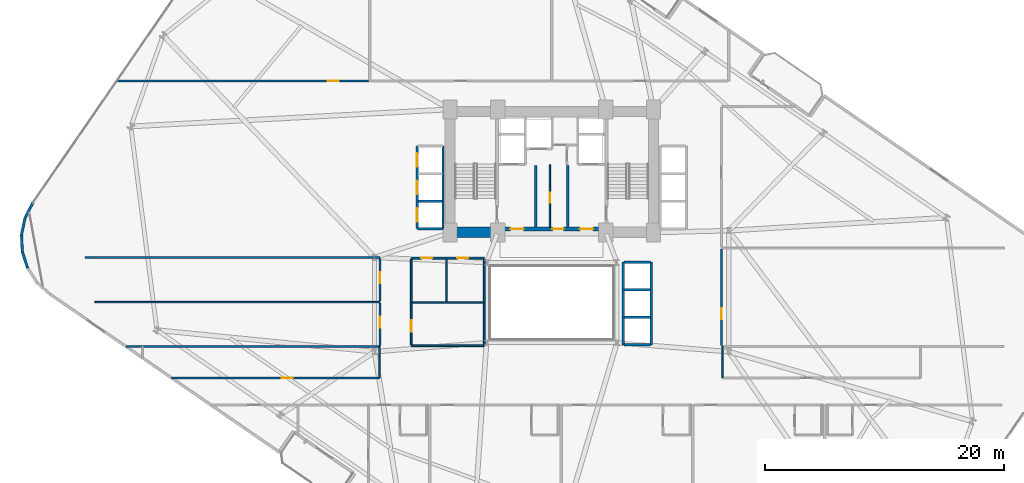
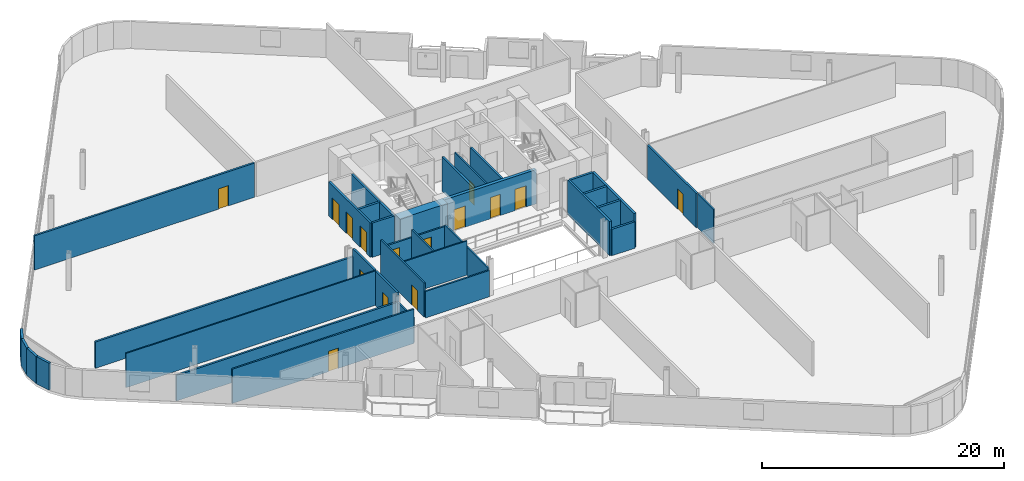
# One storey, part 20 of 26: 35 walls, 15 doors, 15 openings.
"""IFC4 building model written with IfcOpenShell, lengths in metres."""

from ifc_helpers import new_model, si_unit, direction, frame, frame_2d, origin, place, context, subcontext, project, spatial, rectangle, extrude, material, layer, layer_set, type_object, element, fill, save


model = new_model("IFC4")

# Units and contexts
model_context = context("Model", 3, precision=1e-05, world=origin(), true_north=direction((0.0, 1.0)))
body_context = subcontext(model_context, "Body", "Model", "MODEL_VIEW")
ifc_project = project(units=[si_unit("LENGTHUNIT", "METRE"), si_unit("AREAUNIT", "SQUARE_METRE"), si_unit("VOLUMEUNIT", "CUBIC_METRE"), si_unit("PLANEANGLEUNIT", "RADIAN"), si_unit("MASSUNIT", "GRAM", prefix="KILO")], contexts=[model_context])

# Site, building, storey
site_placement = place(None, origin())
site = spatial("IfcSite", under=ifc_project, at=site_placement, CompositionType="ELEMENT")
building_placement = place(site_placement, origin())
building = spatial("IfcBuilding", under=site, at=building_placement, Name="Varnelok Gate Tower", CompositionType="ELEMENT")
storey_placement = place(building_placement, frame((0.0, 0.0, 45.5)))
storey = spatial("IfcBuildingStorey", under=building, at=storey_placement, Name="L10", CompositionType="ELEMENT", Elevation=45.5)

# Walls
ifc_material_1 = material(Name="Concrete C45/55", Category="concrete")
ifc_layer_1 = layer(ifc_material_1, 0.219970703125)
ifc_layer_set_1 = layer_set([ifc_layer_1], Name="Concrete C45/55")
wall_type_1 = type_object("IfcWallType", Name="EW-BALC-220", PredefinedType="SOLIDWALL", material=ifc_layer_set_1)
wall_1_placement = place(storey_placement, frame((-4.158203125, 31.24462890625, 0.0), z_axis=(0.0, 0.0, 1.0), x_axis=(-0.454777156549, -0.890605264908, 0.0)))
element("IfcWall", 1, at=wall_1_placement, inside=storey, type_object=wall_type_1, Name="L10 Perimeter Facade Closure Wall 1", PredefinedType="SOLIDWALL", context=body_context, shape_type="SweptSolid", body=[
    extrude(rectangle(XDim=1.43017578125, YDim=0.219970703125, at=frame_2d((0.715087890625, 0.0))), origin(), (0.0, 0.0, 1.0), 2.72998046875),
])
for number, where, z_axis, x_axis, name in (
    (2, (-4.81396484375, 29.946533203125, 0.0), (0.0, 0.0, 1.0), (-0.208829011645, -0.977952168511, 0.0), "L10 Perimeter Facade Closure Wall 2"),
    (3, (-5.106201171875, 28.547119140625, 0.0), (0.0, 0.0, 1.0), (0.051254741739, -0.998685611917, 0.0), "L10 Perimeter Facade Closure Wall 3"),
    (4, (-5.026611328125, 27.1201171875, 0.0), (0.0, 0.0, 1.0), (0.308190297603, -0.95132472924, 0.0), "L10 Perimeter Facade Closure Wall 4"),
):
    element("IfcWall", number, at=place(storey_placement, frame(where, z_axis=z_axis, x_axis=x_axis)), inside=storey, type_object=wall_type_1, Name=name, PredefinedType="SOLIDWALL", context=body_context, shape_type="SweptSolid", body=[
        extrude(rectangle(XDim=1.4052734375, YDim=0.219970703125, at=frame_2d((0.70263671875, 0.0))), origin(), (0.0, 0.0, 1.0), 2.72998046875),
    ])

# Wall, opening, door
ifc_material_2 = material(Name="Gypsum Plasterboard Acoustic Partition", Category="gypsum")
ifc_layer_2 = layer(ifc_material_2, 0.179931640625)
ifc_layer_set_2 = layer_set([ifc_layer_2], Name="Gypsum Plasterboard Acoustic Partition")
wall_type_2 = type_object("IfcWallType", Name="PW-CORR-180", PredefinedType="PARTITIONING", material=ifc_layer_set_2)
wall_2_placement = place(storey_placement, frame((2.9208984375, 41.429931640625, 0.0), z_axis=(0.0, 0.0, 1.0), x_axis=(1.0, 0.0, 0.0)))
wall_2 = element("IfcWall", 5, at=wall_2_placement, inside=storey, type_object=wall_type_2, Name="Interior Partition", PredefinedType="PARTITIONING", context=body_context, shape_type="SweptSolid", body=[
    extrude(rectangle(XDim=20.9990234375, YDim=0.179931640625, at=frame_2d((10.49951171875, 0.0))), origin(), (0.0, 0.0, 1.0), 3.449951171875),
])
opening_1_placement = place(wall_2_placement, frame((17.55419921875, 0.0, 0.0)))
opening_1 = element("IfcOpeningElement", 6, at=opening_1_placement, cuts=wall_2, Name="Opening D-I2", PredefinedType="OPENING", context=body_context, shape_type="SweptSolid", body=[
    extrude(rectangle(XDim=0.949951171875, YDim=2.050048828125, at=frame_2d((0.47509765625, 1.02490234375))), frame((0.0, 0.099853515625, 0.0), z_axis=(0.0, -1.0, 0.0), x_axis=(1.0, 0.0, 0.0)), (0.0, 0.0, 1.0), 0.199951171875),
])
ifc_material_3 = material(Name="Engineered Hardwood Timber", Category="wood")
door_type_1 = type_object("IfcDoorType", Name="DR-INT-950", OperationType="NOTDEFINED", PredefinedType="DOOR", material=ifc_material_3)
door_1_placement = place(opening_1_placement, origin())
door_1 = element("IfcDoor", 7, at=door_1_placement, inside=storey, type_object=door_type_1, Name="L10 Executive Business Office 1 Door", OperationType="SINGLE_SWING_LEFT", OverallHeight=2.050048828125, OverallWidth=0.949951171875, PredefinedType="DOOR", context=body_context, shape_type="SweptSolid", body=[
    extrude(rectangle(XDim=0.949951171875, YDim=2.050048828125, at=frame_2d((0.47509765625, 1.02490234375))), frame((0.0, 0.02490234375, 0.0), z_axis=(0.0, -1.0, 0.0), x_axis=(1.0, 0.0, 0.0)), (0.0, 0.0, 1.0), 0.050048828125),
])
fill(opening_1, door_1)

wall_3_placement = place(storey_placement, frame((24.85009765625, 19.300048828125, 0.0), z_axis=(0.0, 0.0, 1.0), x_axis=(0.0, 1.0, 0.0)))
wall_3 = element("IfcWall", 8, at=wall_3_placement, inside=storey, type_object=wall_type_2, Name="Interior Partition", PredefinedType="PARTITIONING", context=body_context, shape_type="SweptSolid", body=[
    extrude(rectangle(XDim=3.570068359375, YDim=0.179931640625, at=frame_2d((1.78515625, 0.0))), origin(), (0.0, 0.0, 1.0), 3.449951171875),
])
opening_2_placement = place(wall_3_placement, frame((1.49951171875, 0.0, 0.0)))
opening_2 = element("IfcOpeningElement", 9, at=opening_2_placement, cuts=wall_3, Name="Opening D-I3", PredefinedType="OPENING", context=body_context, shape_type="SweptSolid", body=[
    extrude(rectangle(XDim=0.919921875, YDim=2.050048828125, at=frame_2d((0.4599609375, 1.02490234375))), frame((0.0, 0.099853515625, 0.0), z_axis=(0.0, -1.0, 0.0), x_axis=(1.0, 0.0, 0.0)), (0.0, 0.0, 1.0), 0.199951171875),
])
door_type_2 = type_object("IfcDoorType", Name="DR-INT-920", OperationType="NOTDEFINED", PredefinedType="DOOR", material=ifc_material_3)
door_2_placement = place(opening_2_placement, origin())
door_2 = element("IfcDoor", 10, at=door_2_placement, inside=storey, type_object=door_type_2, Name="L10 West Wing Room 1 Door", OperationType="SINGLE_SWING_LEFT", OverallHeight=2.050048828125, OverallWidth=0.919921875, PredefinedType="DOOR", context=body_context, shape_type="SweptSolid", body=[
    extrude(rectangle(XDim=0.919921875, YDim=2.050048828125, at=frame_2d((0.4599609375, 1.02490234375))), frame((0.0, 0.02490234375, 0.0), z_axis=(0.0, -1.0, 0.0), x_axis=(1.0, 0.0, 0.0)), (0.0, 0.0, 1.0), 0.050048828125),
])
fill(opening_2, door_2)

wall_4_placement = place(storey_placement, frame((24.85009765625, 23.030029296875, 0.0), z_axis=(0.0, 0.0, 1.0), x_axis=(0.0, 1.0, 0.0)))
wall_4 = element("IfcWall", 11, at=wall_4_placement, inside=storey, type_object=wall_type_2, Name="Interior Partition", PredefinedType="PARTITIONING", context=body_context, shape_type="SweptSolid", body=[
    extrude(rectangle(XDim=3.570068359375, YDim=0.179931640625, at=frame_2d((1.78515625, 0.0))), origin(), (0.0, 0.0, 1.0), 3.449951171875),
])
opening_3_placement = place(wall_4_placement, frame((1.49951171875, 0.0, 0.0)))
opening_3 = element("IfcOpeningElement", 12, at=opening_3_placement, cuts=wall_4, Name="Opening D-I3", PredefinedType="OPENING", context=body_context, shape_type="SweptSolid", body=[
    extrude(rectangle(XDim=0.919921875, YDim=2.050048828125, at=frame_2d((0.4599609375, 1.02490234375))), frame((0.0, 0.099853515625, 0.0), z_axis=(0.0, -1.0, 0.0), x_axis=(1.0, 0.0, 0.0)), (0.0, 0.0, 1.0), 0.199951171875),
])
door_3_placement = place(opening_3_placement, origin())
door_3 = element("IfcDoor", 13, at=door_3_placement, inside=storey, type_object=door_type_2, Name="L10 West Wing Room 2 Door", OperationType="SINGLE_SWING_RIGHT", OverallHeight=2.050048828125, OverallWidth=0.919921875, PredefinedType="DOOR", context=body_context, shape_type="SweptSolid", body=[
    extrude(rectangle(XDim=0.919921875, YDim=2.050048828125, at=frame_2d((0.4599609375, 1.02490234375))), frame((0.0, 0.02490234375, 0.0), z_axis=(0.0, -1.0, 0.0), x_axis=(1.0, 0.0, 0.0)), (0.0, 0.0, 1.0), 0.050048828125),
])
fill(opening_3, door_3)

# Walls
wall_5_placement = place(storey_placement, frame((3.644775390625, 19.239990234375, 0.0), z_axis=(0.0, 0.0, 1.0), x_axis=(1.0, 0.0, 0.0)))
element("IfcWall", 14, at=wall_5_placement, inside=storey, type_object=wall_type_2, Name="Interior Partition", PredefinedType="PARTITIONING", context=body_context, shape_type="SweptSolid", body=[
    extrude(rectangle(XDim=21.205322265625, YDim=0.179931640625, at=frame_2d((10.6025390625, 0.0))), origin(), (0.0, 0.0, 1.0), 2.580078125),
])
wall_6_placement = place(storey_placement, frame((0.199951171875, 26.659912109375, 0.0), z_axis=(0.0, 0.0, 1.0), x_axis=(1.0, 0.0, 0.0)))
element("IfcWall", 15, at=wall_6_placement, inside=storey, type_object=wall_type_2, Name="Interior Partition", PredefinedType="PARTITIONING", context=body_context, shape_type="SweptSolid", body=[
    extrude(rectangle(XDim=24.650146484375, YDim=0.179931640625, at=frame_2d((12.3251953125, 0.0))), origin(), (0.0, 0.0, 1.0), 2.662109375),
])

# Wall, opening, door
wall_7_placement = place(storey_placement, frame((53.389892578125, 19.300048828125, 0.0), z_axis=(0.0, 0.0, 1.0), x_axis=(0.0, 1.0, 0.0)))
wall_7 = element("IfcWall", 16, at=wall_7_placement, inside=storey, type_object=wall_type_2, Name="Interior Partition", PredefinedType="PARTITIONING", context=body_context, shape_type="SweptSolid", body=[
    extrude(rectangle(XDim=8.070068359375, YDim=0.179931640625, at=frame_2d((4.03515625, 0.0))), origin(), (0.0, 0.0, 1.0), 3.449951171875),
])
opening_4_placement = place(wall_7_placement, frame((2.199951171875, 0.0, 0.0)))
opening_4 = element("IfcOpeningElement", 17, at=opening_4_placement, cuts=wall_7, Name="Opening D-I3", PredefinedType="OPENING", context=body_context, shape_type="SweptSolid", body=[
    extrude(rectangle(XDim=0.919921875, YDim=2.050048828125, at=frame_2d((0.4599609375, 1.02490234375))), frame((0.0, 0.099853515625, 0.0), z_axis=(0.0, -1.0, 0.0), x_axis=(1.0, 0.0, 0.0)), (0.0, 0.0, 1.0), 0.199951171875),
])
door_4_placement = place(opening_4_placement, origin())
door_4 = element("IfcDoor", 18, at=door_4_placement, inside=storey, type_object=door_type_2, Name="L10 East Suite 1 Door", OperationType="SINGLE_SWING_LEFT", OverallHeight=2.050048828125, OverallWidth=0.919921875, PredefinedType="DOOR", context=body_context, shape_type="SweptSolid", body=[
    extrude(rectangle(XDim=0.919921875, YDim=2.050048828125, at=frame_2d((0.4599609375, 1.02490234375))), frame((0.0, 0.02490234375, 0.0), z_axis=(0.0, -1.0, 0.0), x_axis=(1.0, 0.0, 0.0)), (0.0, 0.0, 1.0), 0.050048828125),
])
fill(opening_4, door_4)

# Walls
ifc_layer_3 = layer(ifc_material_2, 0.125)
ifc_layer_set_3 = layer_set([ifc_layer_3], Name="Gypsum Plasterboard Acoustic Partition")
wall_type_3 = type_object("IfcWallType", Name="PW-PART-125", PredefinedType="PARTITIONING", material=ifc_layer_set_3)
wall_8_placement = place(storey_placement, frame((24.800048828125, 16.610107421875, 0.0), z_axis=(0.0, 0.0, 1.0), x_axis=(0.0, 1.0, 0.0)))
element("IfcWall", 19, at=wall_8_placement, inside=storey, type_object=wall_type_3, Name="Interior Partition", PredefinedType="PARTITIONING", context=body_context, shape_type="SweptSolid", body=[
    extrude(rectangle(XDim=2.6298828125, YDim=0.125, at=frame_2d((1.31494140625, 0.0))), origin(), (0.0, 0.0, 1.0), 2.580078125),
])
wall_9_placement = place(storey_placement, frame((53.449951171875, 16.610107421875, 0.0), z_axis=(0.0, 0.0, 1.0), x_axis=(0.0, 1.0, 0.0)))
element("IfcWall", 20, at=wall_9_placement, inside=storey, type_object=wall_type_3, Name="Interior Partition", PredefinedType="PARTITIONING", context=body_context, shape_type="SweptSolid", body=[
    extrude(rectangle(XDim=2.6298828125, YDim=0.125, at=frame_2d((1.31494140625, 0.0))), origin(), (0.0, 0.0, 1.0), 3.449951171875),
])
wall_10_placement = place(storey_placement, frame((1.0, 22.949951171875, 0.0), z_axis=(0.0, 0.0, 1.0), x_axis=(1.0, 0.0, 0.0)))
element("IfcWall", 21, at=wall_10_placement, inside=storey, type_object=wall_type_3, Name="Interior Partition", PredefinedType="PARTITIONING", context=body_context, shape_type="SweptSolid", body=[
    extrude(rectangle(XDim=23.85009765625, YDim=0.125, at=frame_2d((11.925048828125, 0.0))), origin(), (0.0, 0.0, 1.0), 3.449951171875),
])

# Wall, opening, door
wall_11_placement = place(storey_placement, frame((39.050048828125, 29.199951171875, 0.0), z_axis=(0.0, 0.0, 1.0), x_axis=(0.0, 1.0, 0.0)))
wall_11 = element("IfcWall", 22, at=wall_11_placement, inside=storey, type_object=wall_type_3, Name="Interior Partition", PredefinedType="PARTITIONING", context=body_context, shape_type="SweptSolid", body=[
    extrude(rectangle(XDim=5.219970703125, YDim=0.125, at=frame_2d((2.60986328125, 0.0))), origin(), (0.0, 0.0, 1.0), 3.449951171875),
])
opening_5_placement = place(wall_11_placement, frame((2.050048828125, 0.0, 0.0)))
opening_5 = element("IfcOpeningElement", 23, at=opening_5_placement, cuts=wall_11, Name="Opening D-RS", PredefinedType="OPENING", context=body_context, shape_type="SweptSolid", body=[
    extrude(rectangle(XDim=0.85009765625, YDim=2.050048828125, at=frame_2d((0.425048828125, 1.02490234375))), frame((0.0, 0.072509765625, 0.0), z_axis=(0.0, -1.0, 0.0), x_axis=(1.0, 0.0, 0.0)), (0.0, 0.0, 1.0), 0.14501953125),
])
ifc_material_4 = material(Name="Galvanized Steel Grade S350GD", Category="steel")
door_type_3 = type_object("IfcDoorType", Name="DR-RISER-850", OperationType="NOTDEFINED", PredefinedType="DOOR", material=ifc_material_4)
door_5_placement = place(opening_5_placement, origin())
door_5 = element("IfcDoor", 24, at=door_5_placement, inside=storey, type_object=door_type_3, Name="L10 Housekeeping Linen Door", OperationType="SINGLE_SWING_LEFT", OverallHeight=2.050048828125, OverallWidth=0.85009765625, PredefinedType="DOOR", context=body_context, shape_type="SweptSolid", body=[
    extrude(rectangle(XDim=0.85009765625, YDim=2.050048828125, at=frame_2d((0.425048828125, 1.02490234375))), frame((0.0, 0.02490234375, 0.0), z_axis=(0.0, -1.0, 0.0), x_axis=(1.0, 0.0, 0.0)), (0.0, 0.0, 1.0), 0.050048828125),
])
fill(opening_5, door_5)

# Walls
wall_12_placement = place(storey_placement, frame((27.52001953125, 22.929931640625, 0.0), z_axis=(0.0, 0.0, 1.0), x_axis=(1.0, 0.0, 0.0)))
element("IfcWall", 25, at=wall_12_placement, inside=storey, type_object=wall_type_3, Name="Interior Partition", PredefinedType="PARTITIONING", context=body_context, shape_type="SweptSolid", body=[
    extrude(rectangle(XDim=6.0, YDim=0.125, at=frame_2d((3.0, 0.0))), origin(), (0.0, 0.0, 1.0), 3.449951171875),
])
wall_13_placement = place(storey_placement, frame((30.39990234375, 23.0, 0.0), z_axis=(0.0, 0.0, 1.0), x_axis=(0.0, 1.0, 0.0)))
element("IfcWall", 26, at=wall_13_placement, inside=storey, type_object=wall_type_3, Name="Interior Partition", PredefinedType="PARTITIONING", context=body_context, shape_type="SweptSolid", body=[
    extrude(rectangle(XDim=3.5400390625, YDim=0.125, at=frame_2d((1.77001953125, 0.0))), origin(), (0.0, 0.0, 1.0), 3.449951171875),
])

# Wall, opening, door
ifc_layer_4 = layer(ifc_material_2, 0.14990234375)
ifc_layer_set_4 = layer_set([ifc_layer_4], Name="Gypsum Plasterboard Acoustic Partition")
wall_type_4 = type_object("IfcWallType", Name="PW-PART-150", PredefinedType="PARTITIONING", material=ifc_layer_set_4)
wall_14_placement = place(storey_placement, frame((7.462890625, 16.610107421875, 0.0), z_axis=(0.0, 0.0, 1.0), x_axis=(1.0, 0.0, 0.0)))
wall_14 = element("IfcWall", 27, at=wall_14_placement, inside=storey, type_object=wall_type_4, Name="Interior Partition", PredefinedType="PARTITIONING", context=body_context, shape_type="SweptSolid", body=[
    extrude(rectangle(XDim=17.337158203125, YDim=0.14990234375, at=frame_2d((8.66845703125, 0.0))), origin(), (0.0, 0.0, 1.0), 3.449951171875),
])
opening_6_placement = place(wall_14_placement, frame((9.197265625, 0.0, 0.0)))
opening_6 = element("IfcOpeningElement", 28, at=opening_6_placement, cuts=wall_14, Name="Opening D-I3", PredefinedType="OPENING", context=body_context, shape_type="SweptSolid", body=[
    extrude(rectangle(XDim=0.919921875, YDim=2.050048828125, at=frame_2d((0.4599609375, 1.02490234375))), frame((0.0, 0.0849609375, 0.0), z_axis=(0.0, -1.0, 0.0), x_axis=(1.0, 0.0, 0.0)), (0.0, 0.0, 1.0), 0.169921875),
])
door_6_placement = place(opening_6_placement, origin())
door_6 = element("IfcDoor", 29, at=door_6_placement, inside=storey, type_object=door_type_2, Name="L10 Atrium Room 1 Door", OperationType="SINGLE_SWING_LEFT", OverallHeight=2.050048828125, OverallWidth=0.919921875, PredefinedType="DOOR", context=body_context, shape_type="SweptSolid", body=[
    extrude(rectangle(XDim=0.919921875, YDim=2.050048828125, at=frame_2d((0.4599609375, 1.02490234375))), frame((0.0, 0.02490234375, 0.0), z_axis=(0.0, -1.0, 0.0), x_axis=(1.0, 0.0, 0.0)), (0.0, 0.0, 1.0), 0.050048828125),
])
fill(opening_6, door_6)

# Wall
wall_15_placement = place(storey_placement, frame((27.4599609375, 19.300048828125, 0.0), z_axis=(0.0, 0.0, 1.0), x_axis=(1.0, 0.0, 0.0)))
element("IfcWall", 30, at=wall_15_placement, inside=storey, type_object=wall_type_4, Name="Interior Partition", PredefinedType="PARTITIONING", context=body_context, shape_type="SweptSolid", body=[
    extrude(rectangle(XDim=6.10009765625, YDim=0.14990234375, at=frame_2d((3.050048828125, 0.0))), origin(), (0.0, 0.0, 1.0), 2.662109375),
])

# Wall, openings, doors
wall_16_placement = place(storey_placement, frame((27.4599609375, 26.6201171875, 0.0), z_axis=(0.0, 0.0, 1.0), x_axis=(1.0, 0.0, 0.0)))
wall_16 = element("IfcWall", 31, at=wall_16_placement, inside=storey, type_object=wall_type_4, Name="Interior Partition", PredefinedType="PARTITIONING", context=body_context, shape_type="SweptSolid", body=[
    extrude(rectangle(XDim=6.10009765625, YDim=0.14990234375, at=frame_2d((3.050048828125, 0.0))), origin(), (0.0, 0.0, 1.0), 2.662109375),
])
opening_7_placement = place(wall_16_placement, frame((0.85009765625, 0.0, 0.0)))
opening_7 = element("IfcOpeningElement", 32, at=opening_7_placement, cuts=wall_16, Name="Opening D-WC", PredefinedType="OPENING", context=body_context, shape_type="SweptSolid", body=[
    extrude(rectangle(XDim=0.89990234375, YDim=2.050048828125, at=frame_2d((0.449951171875, 1.02490234375))), frame((0.0, 0.0849609375, 0.0), z_axis=(0.0, -1.0, 0.0), x_axis=(1.0, 0.0, 0.0)), (0.0, 0.0, 1.0), 0.169921875),
])
opening_8_placement = place(wall_16_placement, frame((3.85009765625, 0.0, 0.0)))
opening_8 = element("IfcOpeningElement", 33, at=opening_8_placement, cuts=wall_16, Name="Opening D-I3", PredefinedType="OPENING", context=body_context, shape_type="SweptSolid", body=[
    extrude(rectangle(XDim=0.919921875, YDim=2.050048828125, at=frame_2d((0.4599609375, 1.02490234375))), frame((0.0, 0.0849609375, 0.0), z_axis=(0.0, -1.0, 0.0), x_axis=(1.0, 0.0, 0.0)), (0.0, 0.0, 1.0), 0.169921875),
])
door_type_4 = type_object("IfcDoorType", Name="DR-BATH-900", OperationType="NOTDEFINED", PredefinedType="DOOR", material=ifc_material_3)
door_7_placement = place(opening_7_placement, origin())
door_7 = element("IfcDoor", 34, at=door_7_placement, inside=storey, type_object=door_type_4, Name="L10 Accessible Floor WC Door", OperationType="SINGLE_SWING_RIGHT", OverallHeight=2.050048828125, OverallWidth=0.89990234375, PredefinedType="DOOR", context=body_context, shape_type="SweptSolid", body=[
    extrude(rectangle(XDim=0.89990234375, YDim=2.050048828125, at=frame_2d((0.449951171875, 1.02490234375))), frame((0.0, 0.02490234375, 0.0), z_axis=(0.0, -1.0, 0.0), x_axis=(1.0, 0.0, 0.0)), (0.0, 0.0, 1.0), 0.050048828125),
])
fill(opening_7, door_7)
door_8_placement = place(opening_8_placement, origin())
door_8 = element("IfcDoor", 35, at=door_8_placement, inside=storey, type_object=door_type_2, Name="L10 Cleaner Supply Door", OperationType="SINGLE_SWING_LEFT", OverallHeight=2.050048828125, OverallWidth=0.919921875, PredefinedType="DOOR", context=body_context, shape_type="SweptSolid", body=[
    extrude(rectangle(XDim=0.919921875, YDim=2.050048828125, at=frame_2d((0.4599609375, 1.02490234375))), frame((0.0, 0.02490234375, 0.0), z_axis=(0.0, -1.0, 0.0), x_axis=(1.0, 0.0, 0.0)), (0.0, 0.0, 1.0), 0.050048828125),
])
fill(opening_8, door_8)

# Wall, opening, door
wall_17_placement = place(storey_placement, frame((27.4599609375, 19.3798828125, 0.0), z_axis=(0.0, 0.0, 1.0), x_axis=(0.0, 1.0, 0.0)))
wall_17 = element("IfcWall", 36, at=wall_17_placement, inside=storey, type_object=wall_type_4, Name="Interior Partition", PredefinedType="PARTITIONING", context=body_context, shape_type="SweptSolid", body=[
    extrude(rectangle(XDim=7.16015625, YDim=0.14990234375, at=frame_2d((3.580078125, 0.0))), origin(), (0.0, 0.0, 1.0), 3.449951171875),
])
opening_9_placement = place(wall_17_placement, frame((1.10009765625, 0.0, 0.0)))
opening_9 = element("IfcOpeningElement", 37, at=opening_9_placement, cuts=wall_17, Name="Opening D-I2", PredefinedType="OPENING", context=body_context, shape_type="SweptSolid", body=[
    extrude(rectangle(XDim=0.949951171875, YDim=2.050048828125, at=frame_2d((0.47509765625, 1.02490234375))), frame((0.0, 0.0849609375, 0.0), z_axis=(0.0, -1.0, 0.0), x_axis=(1.0, 0.0, 0.0)), (0.0, 0.0, 1.0), 0.169921875),
])
door_9_placement = place(opening_9_placement, origin())
door_9 = element("IfcDoor", 38, at=door_9_placement, inside=storey, type_object=door_type_1, Name="L10 Wellness Spa Lounge Door", OperationType="SINGLE_SWING_LEFT", OverallHeight=2.050048828125, OverallWidth=0.949951171875, PredefinedType="DOOR", context=body_context, shape_type="SweptSolid", body=[
    extrude(rectangle(XDim=0.949951171875, YDim=2.050048828125, at=frame_2d((0.47509765625, 1.02490234375))), frame((0.0, 0.02490234375, 0.0), z_axis=(0.0, -1.0, 0.0), x_axis=(1.0, 0.0, 0.0)), (0.0, 0.0, 1.0), 0.050048828125),
])
fill(opening_9, door_9)

# Walls
wall_18_placement = place(storey_placement, frame((33.56005859375, 19.3798828125, 0.0), z_axis=(0.0, 0.0, 1.0), x_axis=(0.0, 1.0, 0.0)))
element("IfcWall", 39, at=wall_18_placement, inside=storey, type_object=wall_type_4, Name="Interior Partition", PredefinedType="PARTITIONING", context=body_context, shape_type="SweptSolid", body=[
    extrude(rectangle(XDim=7.16015625, YDim=0.14990234375, at=frame_2d((3.580078125, 0.0))), origin(), (0.0, 0.0, 1.0), 2.823974609375),
])
ifc_material_5 = material(Name="Concrete C35/45", Category="concrete")
ifc_layer_5 = layer(ifc_material_5, 0.199951171875)
ifc_layer_set_5 = layer_set([ifc_layer_5], Name="Concrete C35/45")
wall_type_5 = type_object("IfcWallType", Name="PW-SHAFT-200", PredefinedType="PARTITIONING", material=ifc_layer_set_5)
for number, where, z_axis, x_axis, name in (
    (40, (37.860107421875, 29.199951171875, 0.0), (0.0, 0.0, 1.0), (0.0, 1.0, 0.0), "L10 West FF Lobby Rated Wall"),
    (41, (40.5400390625, 29.199951171875, 0.0), (0.0, 0.0, 1.0), (0.0, 1.0, 0.0), "L10 East FF Lobby Rated Wall"),
):
    element("IfcWall", number, at=place(storey_placement, frame(where, z_axis=z_axis, x_axis=x_axis)), inside=storey, type_object=wall_type_5, Name=name, PredefinedType="PARTITIONING", context=body_context, shape_type="SweptSolid", body=[
        extrude(rectangle(XDim=5.179931640625, YDim=0.199951171875, at=frame_2d((2.58984375, 0.0))), origin(), (0.0, 0.0, 1.0), 3.449951171875),
    ])
wall_19_placement = place(storey_placement, frame((28.02001953125, 31.375, 0.0), z_axis=(0.0, 0.0, 1.0), x_axis=(1.0, 0.0, 0.0)))
element("IfcWall", 42, at=wall_19_placement, inside=storey, type_object=wall_type_5, Name="L10 PL1 Divider", PredefinedType="PARTITIONING", context=body_context, shape_type="SweptSolid", body=[
    extrude(rectangle(XDim=2.06005859375, YDim=0.199951171875, at=frame_2d((1.030029296875, 0.0))), origin(), (0.0, 0.0, 1.0), 3.449951171875),
])
wall_20_placement = place(storey_placement, frame((28.0, 29.080078125, 0.0), z_axis=(0.0, 0.0, 1.0), x_axis=(1.0, 0.0, 0.0)))
element("IfcWall", 43, at=wall_20_placement, inside=storey, type_object=wall_type_5, Name="L10 PL Bank South Wall", PredefinedType="PARTITIONING", context=body_context, shape_type="SweptSolid", body=[
    extrude(rectangle(XDim=2.10009765625, YDim=0.199951171875, at=frame_2d((1.050048828125, 0.0))), origin(), (0.0, 0.0, 1.0), 3.449951171875),
])
wall_21_placement = place(storey_placement, frame((30.1201171875, 29.080078125, 0.0), z_axis=(0.0, 0.0, 1.0), x_axis=(0.0, 1.0, 0.0)))
element("IfcWall", 44, at=wall_21_placement, inside=storey, type_object=wall_type_5, Name="L10 PL Bank Back Wall", PredefinedType="PARTITIONING", context=body_context, shape_type="SweptSolid", body=[
    extrude(rectangle(XDim=6.889892578125, YDim=0.199951171875, at=frame_2d((3.44482421875, 0.0))), origin(), (0.0, 0.0, 1.0), 3.449951171875),
])

# Wall, openings, doors
wall_22_placement = place(storey_placement, frame((27.9599609375, 29.080078125, 0.0), z_axis=(0.0, 0.0, 1.0), x_axis=(0.0, 1.0, 0.0)))
wall_22 = element("IfcWall", 45, at=wall_22_placement, inside=storey, type_object=wall_type_5, Name="L10 PL Bank Front Wall", PredefinedType="PARTITIONING", context=body_context, shape_type="SweptSolid", body=[
    extrude(rectangle(XDim=6.889892578125, YDim=0.199951171875, at=frame_2d((3.44482421875, 0.0))), origin(), (0.0, 0.0, 1.0), 3.449951171875),
])
opening_10_placement = place(wall_22_placement, frame((0.590087890625, 0.0, 0.0)))
opening_10 = element("IfcOpeningElement", 46, at=opening_10_placement, cuts=wall_22, Name="Opening LD-PL1", PredefinedType="OPENING", context=body_context, shape_type="SweptSolid", body=[
    extrude(rectangle(XDim=1.10009765625, YDim=2.14990234375, at=frame_2d((0.550048828125, 1.074951171875))), frame((0.0, 0.10986328125, 0.0), z_axis=(0.0, -1.0, 0.0), x_axis=(1.0, 0.0, 0.0)), (0.0, 0.0, 1.0), 0.219970703125),
])
opening_11_placement = place(wall_22_placement, frame((2.889892578125, 0.0, 0.0)))
opening_11 = element("IfcOpeningElement", 47, at=opening_11_placement, cuts=wall_22, Name="Opening LD-PL2", PredefinedType="OPENING", context=body_context, shape_type="SweptSolid", body=[
    extrude(rectangle(XDim=1.10009765625, YDim=2.14990234375, at=frame_2d((0.550048828125, 1.074951171875))), frame((0.0, 0.10986328125, 0.0), z_axis=(0.0, -1.0, 0.0), x_axis=(1.0, 0.0, 0.0)), (0.0, 0.0, 1.0), 0.219970703125),
])
opening_12_placement = place(wall_22_placement, frame((5.18994140625, 0.0, 0.0)))
opening_12 = element("IfcOpeningElement", 48, at=opening_12_placement, cuts=wall_22, Name="Opening LD-PL3", PredefinedType="OPENING", context=body_context, shape_type="SweptSolid", body=[
    extrude(rectangle(XDim=1.10009765625, YDim=2.14990234375, at=frame_2d((0.550048828125, 1.074951171875))), frame((0.0, 0.10986328125, 0.0), z_axis=(0.0, -1.0, 0.0), x_axis=(1.0, 0.0, 0.0)), (0.0, 0.0, 1.0), 0.219970703125),
])
door_type_5 = type_object("IfcDoorType", Name="DR-LIFT-PAX1100", OperationType="SLIDING_TO_LEFT", PredefinedType="DOOR", material=ifc_material_4)
door_10_placement = place(opening_10_placement, origin())
door_10 = element("IfcDoor", 49, at=door_10_placement, inside=storey, type_object=door_type_5, Name="L10 Passenger Lift Landing Door LD-PL1", OperationType="SLIDING_TO_LEFT", OverallHeight=2.14990234375, OverallWidth=1.10009765625, PredefinedType="DOOR", context=body_context, shape_type="SweptSolid", body=[
    extrude(rectangle(XDim=1.10009765625, YDim=2.14990234375, at=frame_2d((0.550048828125, 1.074951171875))), frame((0.0, 0.02490234375, 0.0), z_axis=(0.0, -1.0, 0.0), x_axis=(1.0, 0.0, 0.0)), (0.0, 0.0, 1.0), 0.050048828125),
])
fill(opening_10, door_10)
door_11_placement = place(opening_11_placement, origin())
door_11 = element("IfcDoor", 50, at=door_11_placement, inside=storey, type_object=door_type_5, Name="L10 Passenger Lift Landing Door LD-PL2", OperationType="SLIDING_TO_LEFT", OverallHeight=2.14990234375, OverallWidth=1.10009765625, PredefinedType="DOOR", context=body_context, shape_type="SweptSolid", body=[
    extrude(rectangle(XDim=1.10009765625, YDim=2.14990234375, at=frame_2d((0.550048828125, 1.074951171875))), frame((0.0, 0.02490234375, 0.0), z_axis=(0.0, -1.0, 0.0), x_axis=(1.0, 0.0, 0.0)), (0.0, 0.0, 1.0), 0.050048828125),
])
fill(opening_11, door_11)
door_12_placement = place(opening_12_placement, origin())
door_12 = element("IfcDoor", 51, at=door_12_placement, inside=storey, type_object=door_type_5, Name="L10 Passenger Lift Landing Door LD-PL3", OperationType="SLIDING_TO_LEFT", OverallHeight=2.14990234375, OverallWidth=1.10009765625, PredefinedType="DOOR", context=body_context, shape_type="SweptSolid", body=[
    extrude(rectangle(XDim=1.10009765625, YDim=2.14990234375, at=frame_2d((0.550048828125, 1.074951171875))), frame((0.0, 0.02490234375, 0.0), z_axis=(0.0, -1.0, 0.0), x_axis=(1.0, 0.0, 0.0)), (0.0, 0.0, 1.0), 0.050048828125),
])
fill(opening_12, door_12)

# Walls
for number, where, z_axis, x_axis, name in (
    (52, (45.239990234375, 21.675048828125, 0.0), (0.0, 0.0, 1.0), (1.0, 0.0, 0.0), "L10 PH1 Divider"),
    (53, (45.239990234375, 23.97509765625, 0.0), (0.0, 0.0, 1.0), (1.0, 0.0, 0.0), "L10 PH2 Divider"),
):
    element("IfcWall", number, at=place(storey_placement, frame(where, z_axis=z_axis, x_axis=x_axis)), inside=storey, type_object=wall_type_5, Name=name, PredefinedType="PARTITIONING", context=body_context, shape_type="SweptSolid", body=[
        extrude(rectangle(XDim=2.219970703125, YDim=0.199951171875, at=frame_2d((1.10986328125, 0.0))), origin(), (0.0, 0.0, 1.0), 3.449951171875),
    ])
wall_23_placement = place(storey_placement, frame((45.239990234375, 19.3798828125, 0.0), z_axis=(0.0, 0.0, 1.0), x_axis=(1.0, 0.0, 0.0)))
element("IfcWall", 54, at=wall_23_placement, inside=storey, type_object=wall_type_5, Name="L10 PH Bank South Wall", PredefinedType="PARTITIONING", context=body_context, shape_type="SweptSolid", body=[
    extrude(rectangle(XDim=2.219970703125, YDim=0.199951171875, at=frame_2d((1.10986328125, 0.0))), origin(), (0.0, 0.0, 1.0), 2.662109375),
])
wall_24_placement = place(storey_placement, frame((45.239990234375, 26.280029296875, 0.0), z_axis=(0.0, 0.0, 1.0), x_axis=(1.0, 0.0, 0.0)))
element("IfcWall", 55, at=wall_24_placement, inside=storey, type_object=wall_type_5, Name="L10 PH Bank North Wall", PredefinedType="PARTITIONING", context=body_context, shape_type="SweptSolid", body=[
    extrude(rectangle(XDim=2.219970703125, YDim=0.199951171875, at=frame_2d((1.10986328125, 0.0))), origin(), (0.0, 0.0, 1.0), 3.449951171875),
])
for number, where, z_axis, x_axis, name in (
    (56, (45.179931640625, 19.3798828125, 0.0), (0.0, 0.0, 1.0), (0.0, 1.0, 0.0), "L10 PH Bank Atrium Wall"),
    (57, (47.52001953125, 19.3798828125, 0.0), (0.0, 0.0, 1.0), (0.0, 1.0, 0.0), "L10 PH Bank Front Wall"),
):
    element("IfcWall", number, at=place(storey_placement, frame(where, z_axis=z_axis, x_axis=x_axis)), inside=storey, type_object=wall_type_5, Name=name, PredefinedType="PARTITIONING", context=body_context, shape_type="SweptSolid", body=[
        extrude(rectangle(XDim=6.900146484375, YDim=0.199951171875, at=frame_2d((3.4501953125, 0.0))), origin(), (0.0, 0.0, 1.0), 3.449951171875),
    ])
ifc_material_6 = material(Name="Concrete C70/85", Category="concrete")
ifc_layer_6 = layer(ifc_material_6, 0.85009765625)
ifc_layer_set_6 = layer_set([ifc_layer_6], Name="Concrete C70/85")
wall_type_6 = type_object("IfcWallType", Name="SW-CORE-850", PredefinedType="SHEAR", material=ifc_layer_set_6)
wall_25_placement = place(storey_placement, frame((30.280029296875, 28.77490234375, 0.0), z_axis=(0.0, 0.0, 1.0), x_axis=(1.0, 0.0, 0.0)))
element("IfcWall", 58, at=wall_25_placement, inside=storey, type_object=wall_type_6, Name="L10 Rear Core South-West Shear Wall", PredefinedType="SHEAR", context=body_context, shape_type="SweptSolid", body=[
    extrude(rectangle(XDim=4.52001953125, YDim=0.85009765625, at=frame_2d((2.260009765625, 0.0))), origin(), (0.0, 0.0, 1.0), 3.449951171875),
])

# Wall, openings, doors
ifc_material_7 = material(Name="Concrete C60/75", Category="concrete")
ifc_layer_7 = layer(ifc_material_7, 0.300048828125)
ifc_layer_set_7 = layer_set([ifc_layer_7], Name="Concrete C60/75")
wall_type_7 = type_object("IfcWallType", Name="SW-SHAFT-300", PredefinedType="SHEAR", material=ifc_layer_set_7)
wall_26_placement = place(storey_placement, frame((34.800048828125, 29.050048828125, 0.0), z_axis=(0.0, 0.0, 1.0), x_axis=(1.0, 0.0, 0.0)))
wall_26 = element("IfcWall", 59, at=wall_26_placement, inside=storey, type_object=wall_type_7, Name="L10 Rear Core Central Lobby Shear Wall", PredefinedType="SHEAR", context=body_context, shape_type="SweptSolid", body=[
    extrude(rectangle(XDim=8.800048828125, YDim=0.300048828125, at=frame_2d((4.39990234375, 0.0))), origin(), (0.0, 0.0, 1.0), 3.449951171875),
])
opening_13_placement = place(wall_26_placement, frame((0.949951171875, 0.0, 0.0)))
opening_13 = element("IfcOpeningElement", 60, at=opening_13_placement, cuts=wall_26, Name="Opening D-FF", PredefinedType="OPENING", context=body_context, shape_type="SweptSolid", body=[
    extrude(rectangle(XDim=1.10009765625, YDim=2.14990234375, at=frame_2d((0.550048828125, 1.074951171875))), frame((0.0, 0.159912109375, 0.0), z_axis=(0.0, -1.0, 0.0), x_axis=(1.0, 0.0, 0.0)), (0.0, 0.0, 1.0), 0.320068359375),
])
opening_14_placement = place(wall_26_placement, frame((6.75, 0.0, 0.0)))
opening_14 = element("IfcOpeningElement", 61, at=opening_14_placement, cuts=wall_26, Name="Opening D-FF", PredefinedType="OPENING", context=body_context, shape_type="SweptSolid", body=[
    extrude(rectangle(XDim=1.10009765625, YDim=2.14990234375, at=frame_2d((0.550048828125, 1.074951171875))), frame((0.0, 0.159912109375, 0.0), z_axis=(0.0, -1.0, 0.0), x_axis=(1.0, 0.0, 0.0)), (0.0, 0.0, 1.0), 0.320068359375),
])
opening_15_placement = place(wall_26_placement, frame((4.449951171875, 0.0, 0.0)))
opening_15 = element("IfcOpeningElement", 62, at=opening_15_placement, cuts=wall_26, Name="Opening D-CR", PredefinedType="OPENING", context=body_context, shape_type="SweptSolid", body=[
    extrude(rectangle(XDim=0.949951171875, YDim=2.14990234375, at=frame_2d((0.47509765625, 1.074951171875))), frame((0.0, 0.159912109375, 0.0), z_axis=(0.0, -1.0, 0.0), x_axis=(1.0, 0.0, 0.0)), (0.0, 0.0, 1.0), 0.320068359375),
])
door_type_6 = type_object("IfcDoorType", Name="DR-CORR-950", OperationType="NOTDEFINED", PredefinedType="DOOR", material=ifc_material_4)
door_13_placement = place(opening_15_placement, origin())
door_13 = element("IfcDoor", 63, at=door_13_placement, inside=storey, type_object=door_type_6, Name="L10 Core Service Passage Door", OperationType="SINGLE_SWING_LEFT", OverallHeight=2.14990234375, OverallWidth=0.949951171875, PredefinedType="DOOR", context=body_context, shape_type="SweptSolid", body=[
    extrude(rectangle(XDim=0.949951171875, YDim=2.14990234375, at=frame_2d((0.47509765625, 1.074951171875))), frame((0.0, 0.02490234375, 0.0), z_axis=(0.0, -1.0, 0.0), x_axis=(1.0, 0.0, 0.0)), (0.0, 0.0, 1.0), 0.050048828125),
])
fill(opening_15, door_13)
door_type_7 = type_object("IfcDoorType", Name="DR-FFLOB-1100", OperationType="NOTDEFINED", PredefinedType="DOOR", material=ifc_material_4)
door_14_placement = place(opening_13_placement, origin())
door_14 = element("IfcDoor", 64, at=door_14_placement, inside=storey, type_object=door_type_7, Name="L10 West Firefighting Lobby Fire Door", OperationType="SINGLE_SWING_RIGHT", OverallHeight=2.14990234375, OverallWidth=1.10009765625, PredefinedType="DOOR", context=body_context, shape_type="SweptSolid", body=[
    extrude(rectangle(XDim=1.10009765625, YDim=2.14990234375, at=frame_2d((0.550048828125, 1.074951171875))), frame((0.0, 0.02490234375, 0.0), z_axis=(0.0, -1.0, 0.0), x_axis=(1.0, 0.0, 0.0)), (0.0, 0.0, 1.0), 0.050048828125),
])
fill(opening_13, door_14)
door_15_placement = place(opening_14_placement, origin())
door_15 = element("IfcDoor", 65, at=door_15_placement, inside=storey, type_object=door_type_7, Name="L10 East Firefighting Lobby Fire Door", OperationType="SINGLE_SWING_LEFT", OverallHeight=2.14990234375, OverallWidth=1.10009765625, PredefinedType="DOOR", context=body_context, shape_type="SweptSolid", body=[
    extrude(rectangle(XDim=1.10009765625, YDim=2.14990234375, at=frame_2d((0.550048828125, 1.074951171875))), frame((0.0, 0.02490234375, 0.0), z_axis=(0.0, -1.0, 0.0), x_axis=(1.0, 0.0, 0.0)), (0.0, 0.0, 1.0), 0.050048828125),
])
fill(opening_14, door_15)

save(model, "model.ifc")
